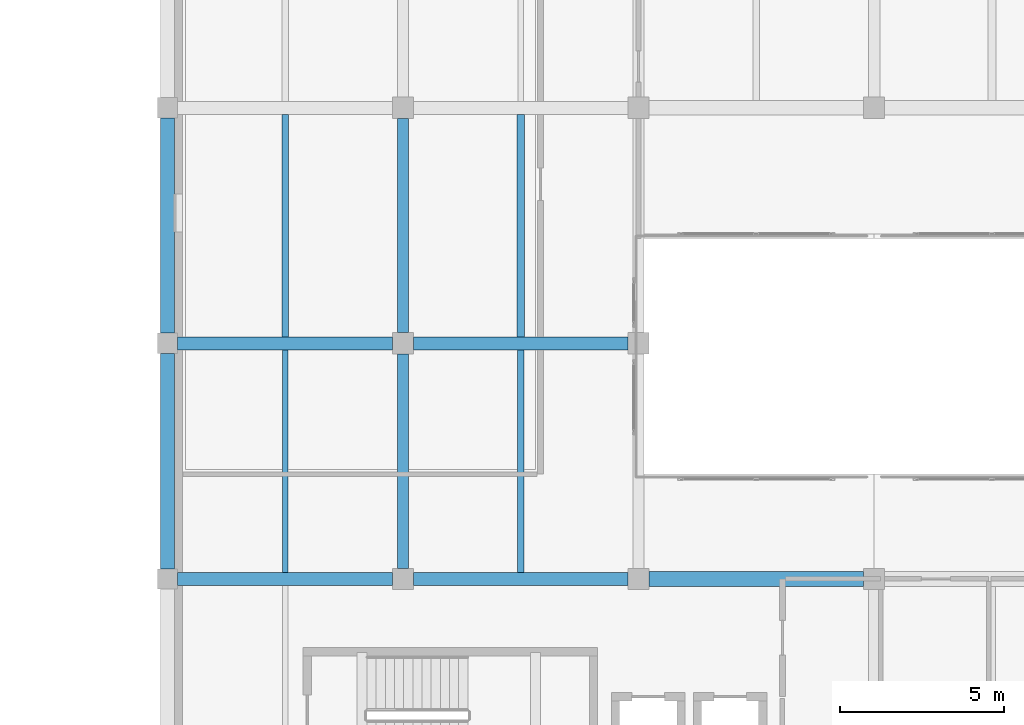
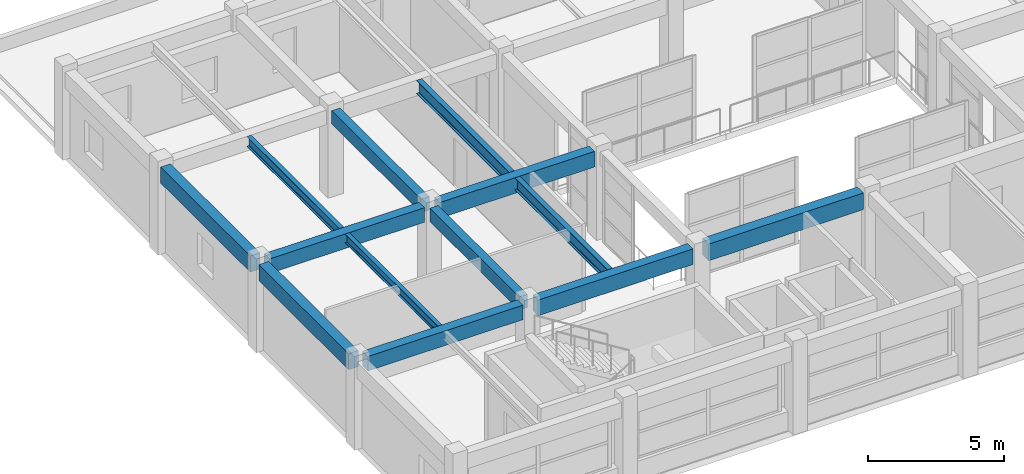
# One storey, part 26 of 67: 13 beams.
"""IFC4 building model written with IfcOpenShell, lengths in metres."""

from ifc_helpers import new_model, si_unit, direction, frame, origin, origin_2d, place, context, subcontext, project, spatial, rectangle, i_section, extrude, material, material_profile, profile_set, type_object, element, save


model = new_model("IFC4")

# Units and contexts
model_context = context("Model", 3, precision=1e-05, world=origin(), true_north=direction((0.0, 1.0)))
body_context = subcontext(model_context, "Body", "Model", "MODEL_VIEW")
ifc_project = project(units=[si_unit("LENGTHUNIT", "METRE"), si_unit("AREAUNIT", "SQUARE_METRE"), si_unit("VOLUMEUNIT", "CUBIC_METRE"), si_unit("PLANEANGLEUNIT", "RADIAN"), si_unit("MASSUNIT", "GRAM", prefix="KILO")], contexts=[model_context])

# Site, building, storey
site_placement = place(None, origin())
site = spatial("IfcSite", under=ifc_project, at=site_placement, CompositionType="ELEMENT")
building_placement = place(site_placement, origin())
building = spatial("IfcBuilding", under=site, at=building_placement, Name="Bramveld Media Centre", CompositionType="ELEMENT")
storey_placement = place(building_placement, frame((0.0, 0.0, 5.39990234375)))
storey = spatial("IfcBuildingStorey", under=building, at=storey_placement, Name="L01", CompositionType="ELEMENT", Elevation=5.39990234375)

# Beams
ifc_material_1 = material(Name="Concrete C40/50", Category="concrete")
ifc_material_profile_1 = material_profile(ifc_material_1, rectangle(XDim=0.35009765625, YDim=0.60009765625, at=origin_2d()), Name="RC 350x600")
ifc_profile_set_1 = profile_set([ifc_material_profile_1], Name="Concrete C40/50")
beam_type_1 = type_object("IfcBeamType", Name="BM-INT-RC-350x600", PredefinedType="BEAM", material=ifc_profile_set_1)
for number, where, z_axis, x_axis, name in (
    (1, (72.800048828125, 97.925048828125, 3.6201171875), (0.0, 1.0, 0.0), (-1.0, 0.0, 0.0), "V6 L01 girder Y-1026"),
    (2, (72.800048828125, 105.125, 3.6201171875), (0.0, 1.0, 0.0), (-1.0, 0.0, 0.0), "V6 L01 girder Y-1027"),
):
    element("IfcBeam", number, at=place(storey_placement, frame(where, z_axis=z_axis, x_axis=x_axis)), inside=storey, type_object=beam_type_1, Name=name, PredefinedType="BEAM", context=body_context, shape_type="SweptSolid", body=[
        extrude(rectangle(XDim=0.35009765625, YDim=0.60009765625, at=origin_2d()), origin(), (0.0, 0.0, 1.0), 6.550048828125),
    ])
ifc_material_2 = material(Name="Concrete C40/50", Category="concrete")
ifc_material_profile_2 = material_profile(ifc_material_2, rectangle(XDim=0.39990234375, YDim=0.64990234375, at=origin_2d()), Name="RC 400x650")
ifc_profile_set_2 = profile_set([ifc_material_profile_2], Name="Concrete C40/50")
beam_type_2 = type_object("IfcBeamType", Name="BM-INT-RC-400x650", PredefinedType="BEAM", material=ifc_profile_set_2)
for number, where, z_axis, x_axis, name in (
    (3, (65.909912109375, 97.60009765625, 3.59521484375), (1.0, 0.0, 0.0), (0.0, 1.0, 0.0), "V6 L01 girder X-1000"),
    (4, (65.909912109375, 104.800048828125, 3.59521484375), (1.0, 0.0, 0.0), (0.0, 1.0, 0.0), "V6 L01 girder X-1006"),
):
    element("IfcBeam", number, at=place(storey_placement, frame(where, z_axis=z_axis, x_axis=x_axis)), inside=storey, type_object=beam_type_2, Name=name, PredefinedType="BEAM", context=body_context, shape_type="SweptSolid", body=[
        extrude(rectangle(XDim=0.39990234375, YDim=0.64990234375, at=origin_2d()), origin(), (0.0, 0.0, 1.0), 6.565185546875),
    ])
ifc_material_3 = material(Name="Concrete C40/50", Category="concrete")
ifc_material_profile_3 = material_profile(ifc_material_3, rectangle(XDim=0.39990234375, YDim=0.699951171875, at=origin_2d()), Name="RC 400x700")
ifc_profile_set_3 = profile_set([ifc_material_profile_3], Name="Concrete C40/50")
beam_type_3 = type_object("IfcBeamType", Name="BM-INT-RC-400x700", PredefinedType="BEAM", material=ifc_profile_set_3)
for number, where, z_axis, x_axis, name in (
    (5, (73.125, 97.60009765625, 3.570068359375), (1.0, 0.0, 0.0), (0.0, 1.0, 0.0), "V6 L01 girder X-1001"),
    (6, (73.125, 104.800048828125, 3.570068359375), (1.0, 0.0, 0.0), (0.0, 1.0, 0.0), "V6 L01 girder X-1007"),
):
    element("IfcBeam", number, at=place(storey_placement, frame(where, z_axis=z_axis, x_axis=x_axis)), inside=storey, type_object=beam_type_3, Name=name, PredefinedType="BEAM", context=body_context, shape_type="SweptSolid", body=[
        extrude(rectangle(XDim=0.39990234375, YDim=0.699951171875, at=origin_2d()), origin(), (0.0, 0.0, 1.0), 6.550048828125),
    ])
ifc_material_4 = material(Name="Concrete C40/50", Category="concrete")
ifc_material_profile_4 = material_profile(ifc_material_4, rectangle(XDim=0.449951171875, YDim=0.75, at=origin_2d()), Name="RC 450x750")
ifc_profile_set_4 = profile_set([ifc_material_profile_4], Name="Concrete C40/50")
beam_type_4 = type_object("IfcBeamType", Name="BM-INT-RC-450x750", PredefinedType="BEAM", material=ifc_profile_set_4)
beam_1_placement = place(storey_placement, frame((80.324951171875, 97.60009765625, 3.545166015625), z_axis=(1.0, 0.0, 0.0), x_axis=(0.0, 1.0, 0.0)))
element("IfcBeam", 7, at=beam_1_placement, inside=storey, type_object=beam_type_4, Name="V6 L01 girder X-1002", PredefinedType="BEAM", context=body_context, shape_type="SweptSolid", body=[
    extrude(rectangle(XDim=0.449951171875, YDim=0.75, at=origin_2d()), origin(), (0.0, 0.0, 1.0), 6.550048828125),
])
ifc_material_5 = material(Name="Steel S355J2", Category="steel")
ifc_material_profile_5 = material_profile(ifc_material_5, i_section(OverallWidth=0.179931640625, OverallDepth=0.39990234375, WebThickness=0.008544921875, FlangeThickness=0.013427734375, FilletRadius=0.02099609375, at=origin_2d()), Name="IPE 400")
ifc_profile_set_5 = profile_set([ifc_material_profile_5], Name="Steel S355J2")
beam_type_5 = type_object("IfcBeamType", Name="SBM-INT-IPE-400", PredefinedType="JOIST", material=ifc_profile_set_5)
beam_2_placement = place(storey_placement, frame((69.199951171875, 97.800048828125, 3.72021484375), z_axis=(0.0, 1.0, 0.0), x_axis=(-1.0, 0.0, 0.0)))
element("IfcBeam", 8, at=beam_2_placement, inside=storey, type_object=beam_type_5, Name="V6 L01 secondary floor joist 1047", PredefinedType="JOIST", context=body_context, shape_type="SweptSolid", body=[
    extrude(i_section(OverallWidth=0.179931640625, OverallDepth=0.39990234375, WebThickness=0.008544921875, FlangeThickness=0.013427734375, FilletRadius=0.02099609375, at=origin_2d()), origin(), (0.0, 0.0, 1.0), 6.800048828125),
])
ifc_material_6 = material(Name="Steel S355J2", Category="steel")
ifc_material_profile_6 = material_profile(ifc_material_6, i_section(OverallWidth=0.18994140625, OverallDepth=0.449951171875, WebThickness=0.009521484375, FlangeThickness=0.0146484375, FilletRadius=0.02099609375, at=origin_2d()), Name="IPE 450")
ifc_profile_set_6 = profile_set([ifc_material_profile_6], Name="Steel S355J2")
beam_type_6 = type_object("IfcBeamType", Name="SBM-INT-IPE-450", PredefinedType="BEAM", material=ifc_profile_set_6)
beam_3_placement = place(storey_placement, frame((69.199951171875, 105.0, 3.695068359375), z_axis=(0.0, 1.0, 0.0), x_axis=(-1.0, 0.0, 0.0)))
element("IfcBeam", 9, at=beam_3_placement, inside=storey, type_object=beam_type_6, Name="V6 L01 secondary floor joist 1048", PredefinedType="BEAM", context=body_context, shape_type="SweptSolid", body=[
    extrude(i_section(OverallWidth=0.18994140625, OverallDepth=0.449951171875, WebThickness=0.009521484375, FlangeThickness=0.0146484375, FilletRadius=0.02099609375, at=origin_2d()), origin(), (0.0, 0.0, 1.0), 6.800048828125),
])
ifc_material_7 = material(Name="Steel S355J2", Category="steel")
ifc_material_profile_7 = material_profile(ifc_material_7, i_section(OverallWidth=0.2099609375, OverallDepth=0.550048828125, WebThickness=0.010986328125, FlangeThickness=0.01708984375, FilletRadius=0.02392578125, at=origin_2d()), Name="IPE 550")
ifc_profile_set_7 = profile_set([ifc_material_profile_7], Name="Steel S355J2")
beam_type_7 = type_object("IfcBeamType", Name="SBM-INT-IPE-550", PredefinedType="BEAM", material=ifc_profile_set_7)
beam_4_placement = place(storey_placement, frame((76.39990234375, 97.800048828125, 3.64501953125), z_axis=(0.0, 1.0, 0.0), x_axis=(-1.0, 0.0, 0.0)))
element("IfcBeam", 10, at=beam_4_placement, inside=storey, type_object=beam_type_7, Name="V6 L01 secondary floor joist 1050", PredefinedType="BEAM", context=body_context, shape_type="SweptSolid", body=[
    extrude(i_section(OverallWidth=0.2099609375, OverallDepth=0.550048828125, WebThickness=0.010986328125, FlangeThickness=0.01708984375, FilletRadius=0.02392578125, at=origin_2d()), origin(), (0.0, 0.0, 1.0), 6.800048828125),
])
ifc_material_8 = material(Name="Steel S355J2", Category="steel")
ifc_material_profile_8 = material_profile(ifc_material_8, i_section(OverallWidth=0.219970703125, OverallDepth=0.60009765625, WebThickness=0.011962890625, FlangeThickness=0.01904296875, FilletRadius=0.02392578125, at=origin_2d()), Name="IPE 600")
ifc_profile_set_8 = profile_set([ifc_material_profile_8], Name="Steel S355J2")
beam_type_8 = type_object("IfcBeamType", Name="SBM-INT-IPE-600", PredefinedType="BEAM", material=ifc_profile_set_8)
beam_5_placement = place(storey_placement, frame((76.39990234375, 105.0, 3.6201171875), z_axis=(0.0, 1.0, 0.0), x_axis=(-1.0, 0.0, 0.0)))
element("IfcBeam", 11, at=beam_5_placement, inside=storey, type_object=beam_type_8, Name="V6 L01 secondary floor joist 1051", PredefinedType="BEAM", context=body_context, shape_type="SweptSolid", body=[
    extrude(i_section(OverallWidth=0.219970703125, OverallDepth=0.60009765625, WebThickness=0.011962890625, FlangeThickness=0.01904296875, FilletRadius=0.02392578125, at=origin_2d()), origin(), (0.0, 0.0, 1.0), 6.800048828125),
])
ifc_material_9 = material(Name="Concrete C40/50", Category="concrete")
ifc_material_profile_9 = material_profile(ifc_material_9, rectangle(XDim=0.419921875, YDim=0.719970703125, at=origin_2d()), Name="RC 420x720")
ifc_profile_set_9 = profile_set([ifc_material_profile_9], Name="Concrete C40/50")
beam_type_9 = type_object("IfcBeamType", Name="SPANDREL-EXT-RC-420x720", PredefinedType="SPANDREL", material=ifc_profile_set_9)
beam_6_placement = place(storey_placement, frame((65.60009765625, 97.909912109375, 3.56005859375), z_axis=(0.0, 1.0, 0.0), x_axis=(-1.0, 0.0, 0.0)))
element("IfcBeam", 12, at=beam_6_placement, inside=storey, type_object=beam_type_9, Name="V6 L01 girder Y-1023", PredefinedType="SPANDREL", context=body_context, shape_type="SweptSolid", body=[
    extrude(rectangle(XDim=0.419921875, YDim=0.719970703125, at=origin_2d()), origin(), (0.0, 0.0, 1.0), 6.580078125),
])
beam_7_placement = place(storey_placement, frame((65.60009765625, 105.110107421875, 3.56005859375), z_axis=(0.0, 1.0, 0.0), x_axis=(-1.0, 0.0, 0.0)))
element("IfcBeam", 13, at=beam_7_placement, inside=storey, type_object=beam_type_9, Name="V6 L01 girder Y-1024", PredefinedType="SPANDREL", context=body_context, shape_type="SweptSolid", body=[
    extrude(rectangle(XDim=0.419921875, YDim=0.719970703125, at=origin_2d()), origin(), (0.0, 0.0, 1.0), 6.579833984375),
])

save(model, "model.ifc")
